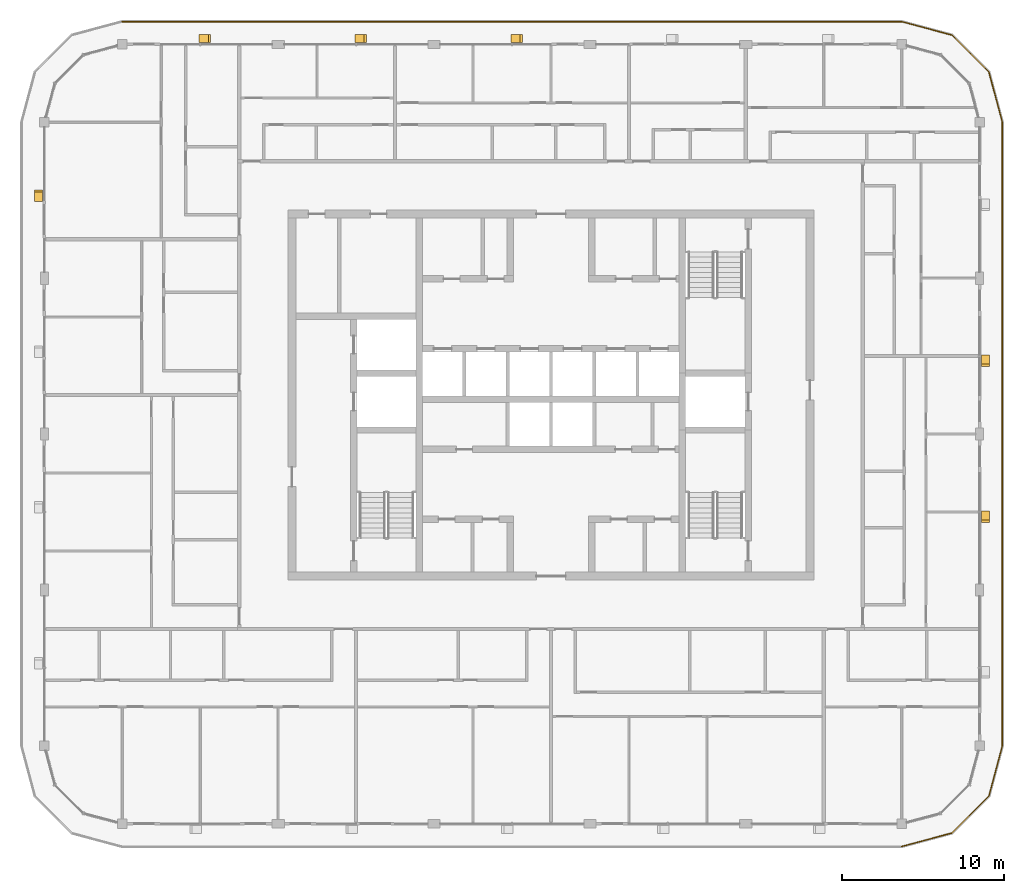
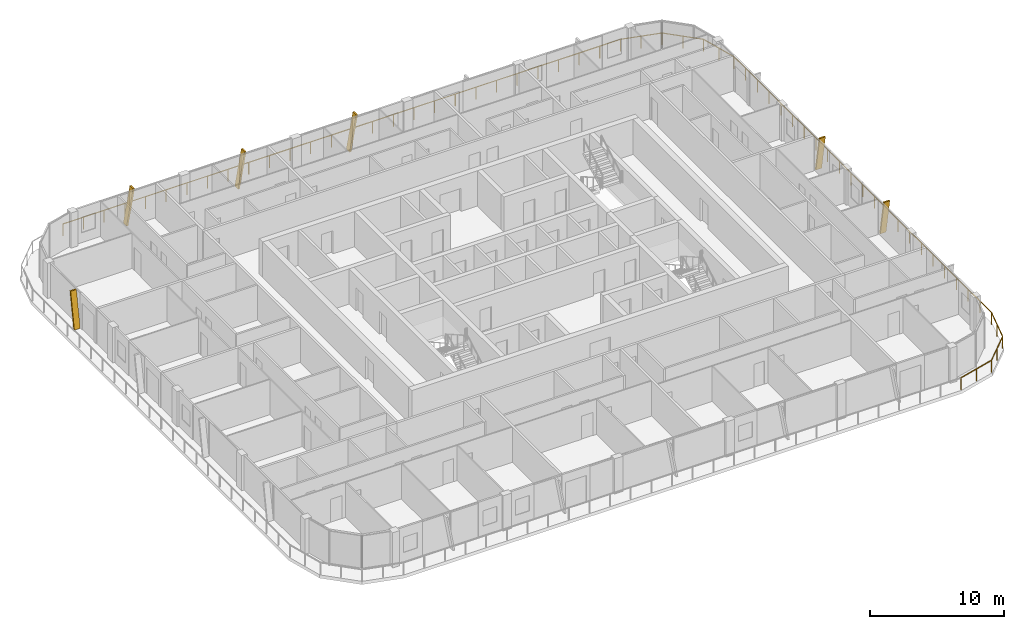
# One storey, part 20 of 21: 6 shading devices, 1 railing.
"""IFC4 building model written with IfcOpenShell, lengths in metres."""

from ifc_helpers import new_model, si_unit, direction, frame, origin, origin_2d, place, context, subcontext, project, spatial, polyline, circle, outline, extrude, material, type_object, element, save


model = new_model("IFC4")

# Units and contexts
model_context = context("Model", 3, precision=1e-05, world=origin(), true_north=direction((0.0, 1.0)))
body_context = subcontext(model_context, "Body", "Model", "MODEL_VIEW")
ifc_project = project(units=[si_unit("LENGTHUNIT", "METRE"), si_unit("AREAUNIT", "SQUARE_METRE"), si_unit("VOLUMEUNIT", "CUBIC_METRE"), si_unit("PLANEANGLEUNIT", "RADIAN"), si_unit("MASSUNIT", "GRAM", prefix="KILO")], contexts=[model_context])

# Site, building, storey
site_placement = place(None, origin())
site = spatial("IfcSite", under=ifc_project, at=site_placement, CompositionType="ELEMENT")
building_placement = place(site_placement, origin())
building = spatial("IfcBuilding", under=site, at=building_placement, Name="Madar Terraces", CompositionType="ELEMENT")
storey_placement = place(building_placement, frame((0.0, 0.0, 272.10009765625)))
storey = spatial("IfcBuildingStorey", under=building, at=storey_placement, Name="L71", CompositionType="ELEMENT", Elevation=272.10009765625)

# Railing
ifc_material_1 = material(Name="Glass, safety glazing, with stainless steel posts", Category="steel")
railing_type = type_object("IfcRailingType", Name="Balcony glass guard 1100", PredefinedType="GUARDRAIL", material=ifc_material_1)
railing_placement = place(storey_placement, frame((52.800048828125, -1.39990234375, 0.0)))
element("IfcRailing", 1, at=railing_placement, inside=storey, type_object=railing_type, Name="Balcony guard", PredefinedType="GUARDRAIL", context=body_context, shape_type="SweptSolid", body=[
    extrude(circle(Radius=0.02392578125, at=origin_2d()), frame((0.0, 0.0, 1.076171875), z_axis=(0.965928696102, 0.258808334578, 0.0), x_axis=(-0.258808334578, 0.965928696102, 0.0)), (0.0, 0.0, 1.0), 3.209228515625),
    extrude(circle(Radius=0.02392578125, at=origin_2d()), frame((3.099853515625, 0.83056640625, 1.076171875), z_axis=(0.707144815061, 0.707068745266, 0.0), x_axis=(-0.707068745266, 0.707144815061, 0.0)), (0.0, 0.0, 1.0), 3.20947265625),
    extrude(circle(Radius=0.02392578125, at=origin_2d()), frame((5.369384765625, 3.099853515625, 1.076171875), z_axis=(0.258789317819, 0.9659337912, 0.0), x_axis=(-0.9659337912, 0.258789317819, 0.0)), (0.0, 0.0, 1.0), 3.20947265625),
    extrude(circle(Radius=0.02392578125, at=origin_2d()), frame((6.199951171875, 6.199951171875, 1.076171875), z_axis=(0.0, 1.0, 0.0), x_axis=(-1.0, 0.0, 0.0)), (0.0, 0.0, 1.0), 38.39990234375),
    extrude(circle(Radius=0.02392578125, at=origin_2d()), frame((6.199951171875, 44.599853515625, 1.076171875), z_axis=(-0.258789317819, 0.9659337912, 0.0), x_axis=(-0.9659337912, -0.258789317819, 0.0)), (0.0, 0.0, 1.0), 3.20947265625),
    extrude(circle(Radius=0.02392578125, at=origin_2d()), frame((5.369384765625, 47.699951171875, 1.076171875), z_axis=(-0.707144815061, 0.707068745266, 0.0), x_axis=(-0.707068745266, -0.707144815061, 0.0)), (0.0, 0.0, 1.0), 3.20947265625),
    extrude(circle(Radius=0.02392578125, at=origin_2d()), frame((3.099853515625, 49.96923828125, 1.076171875), z_axis=(-0.965928696102, 0.258808334578, 0.0), x_axis=(-0.258808334578, -0.965928696102, 0.0)), (0.0, 0.0, 1.0), 3.209228515625),
    extrude(circle(Radius=0.02392578125, at=origin_2d()), frame((0.0, 50.7998046875, 1.076171875), z_axis=(-1.0, 0.0, 0.0), x_axis=(0.0, -1.0, 0.0)), (0.0, 0.0, 1.0), 48.0),
    extrude(circle(Radius=0.02099609375, at=origin_2d()), origin(), (0.0, 0.0, 1.0), 1.052001953125),
    extrude(circle(Radius=0.02099609375, at=origin_2d()), frame((1.5498046875, 0.415283203125, 0.0)), (0.0, 0.0, 1.0), 1.052001953125),
    extrude(circle(Radius=0.02099609375, at=origin_2d()), frame((3.099853515625, 0.83056640625, 0.0)), (0.0, 0.0, 1.0), 1.052001953125),
    extrude(circle(Radius=0.02099609375, at=origin_2d()), frame((4.234619140625, 1.96533203125, 0.0)), (0.0, 0.0, 1.0), 1.052001953125),
    extrude(circle(Radius=0.02099609375, at=origin_2d()), frame((5.369384765625, 3.099853515625, 0.0)), (0.0, 0.0, 1.0), 1.052001953125),
    extrude(circle(Radius=0.02099609375, at=origin_2d()), frame((5.78466796875, 4.64990234375, 0.0)), (0.0, 0.0, 1.0), 1.052001953125),
    extrude(circle(Radius=0.02099609375, at=origin_2d()), frame((6.199951171875, 6.199951171875, 0.0)), (0.0, 0.0, 1.0), 1.052001953125),
    extrude(circle(Radius=0.02099609375, at=origin_2d()), frame((6.199951171875, 7.9453125, 0.0)), (0.0, 0.0, 1.0), 1.052001953125),
    extrude(circle(Radius=0.02099609375, at=origin_2d()), frame((6.199951171875, 9.69091796875, 0.0)), (0.0, 0.0, 1.0), 1.052001953125),
    extrude(circle(Radius=0.02099609375, at=origin_2d()), frame((6.199951171875, 11.436279296875, 0.0)), (0.0, 0.0, 1.0), 1.052001953125),
    extrude(circle(Radius=0.02099609375, at=origin_2d()), frame((6.199951171875, 13.181640625, 0.0)), (0.0, 0.0, 1.0), 1.052001953125),
    extrude(circle(Radius=0.02099609375, at=origin_2d()), frame((6.199951171875, 14.92724609375, 0.0)), (0.0, 0.0, 1.0), 1.052001953125),
    extrude(circle(Radius=0.02099609375, at=origin_2d()), frame((6.199951171875, 16.672607421875, 0.0)), (0.0, 0.0, 1.0), 1.052001953125),
    extrude(circle(Radius=0.02099609375, at=origin_2d()), frame((6.199951171875, 18.418212890625, 0.0)), (0.0, 0.0, 1.0), 1.052001953125),
    extrude(circle(Radius=0.02099609375, at=origin_2d()), frame((6.199951171875, 20.16357421875, 0.0)), (0.0, 0.0, 1.0), 1.052001953125),
    extrude(circle(Radius=0.02099609375, at=origin_2d()), frame((6.199951171875, 21.908935546875, 0.0)), (0.0, 0.0, 1.0), 1.052001953125),
    extrude(circle(Radius=0.02099609375, at=origin_2d()), frame((6.199951171875, 23.654541015625, 0.0)), (0.0, 0.0, 1.0), 1.052001953125),
    extrude(circle(Radius=0.02099609375, at=origin_2d()), frame((6.199951171875, 25.39990234375, 0.0)), (0.0, 0.0, 1.0), 1.052001953125),
    extrude(circle(Radius=0.02099609375, at=origin_2d()), frame((6.199951171875, 27.145263671875, 0.0)), (0.0, 0.0, 1.0), 1.052001953125),
    extrude(circle(Radius=0.02099609375, at=origin_2d()), frame((6.199951171875, 28.890869140625, 0.0)), (0.0, 0.0, 1.0), 1.052001953125),
    extrude(circle(Radius=0.02099609375, at=origin_2d()), frame((6.199951171875, 30.63623046875, 0.0)), (0.0, 0.0, 1.0), 1.052001953125),
    extrude(circle(Radius=0.02099609375, at=origin_2d()), frame((6.199951171875, 32.381591796875, 0.0)), (0.0, 0.0, 1.0), 1.052001953125),
    extrude(circle(Radius=0.02099609375, at=origin_2d()), frame((6.199951171875, 34.127197265625, 0.0)), (0.0, 0.0, 1.0), 1.052001953125),
    extrude(circle(Radius=0.02099609375, at=origin_2d()), frame((6.199951171875, 35.87255859375, 0.0)), (0.0, 0.0, 1.0), 1.052001953125),
    extrude(circle(Radius=0.02099609375, at=origin_2d()), frame((6.199951171875, 37.6181640625, 0.0)), (0.0, 0.0, 1.0), 1.052001953125),
    extrude(circle(Radius=0.02099609375, at=origin_2d()), frame((6.199951171875, 39.363525390625, 0.0)), (0.0, 0.0, 1.0), 1.052001953125),
    extrude(circle(Radius=0.02099609375, at=origin_2d()), frame((6.199951171875, 41.10888671875, 0.0)), (0.0, 0.0, 1.0), 1.052001953125),
    extrude(circle(Radius=0.02099609375, at=origin_2d()), frame((6.199951171875, 42.8544921875, 0.0)), (0.0, 0.0, 1.0), 1.052001953125),
    extrude(circle(Radius=0.02099609375, at=origin_2d()), frame((6.199951171875, 44.599853515625, 0.0)), (0.0, 0.0, 1.0), 1.052001953125),
    extrude(circle(Radius=0.02099609375, at=origin_2d()), frame((5.78466796875, 46.14990234375, 0.0)), (0.0, 0.0, 1.0), 1.052001953125),
    extrude(circle(Radius=0.02099609375, at=origin_2d()), frame((5.369384765625, 47.699951171875, 0.0)), (0.0, 0.0, 1.0), 1.052001953125),
    extrude(circle(Radius=0.02099609375, at=origin_2d()), frame((4.234619140625, 48.83447265625, 0.0)), (0.0, 0.0, 1.0), 1.052001953125),
    extrude(circle(Radius=0.02099609375, at=origin_2d()), frame((3.099853515625, 49.96923828125, 0.0)), (0.0, 0.0, 1.0), 1.052001953125),
    extrude(circle(Radius=0.02099609375, at=origin_2d()), frame((1.5498046875, 50.384521484375, 0.0)), (0.0, 0.0, 1.0), 1.052001953125),
    extrude(circle(Radius=0.02099609375, at=origin_2d()), frame((0.0, 50.7998046875, 0.0)), (0.0, 0.0, 1.0), 1.052001953125),
    extrude(circle(Radius=0.02099609375, at=origin_2d()), frame((-1.77783203125, 50.7998046875, 0.0)), (0.0, 0.0, 1.0), 1.052001953125),
    extrude(circle(Radius=0.02099609375, at=origin_2d()), frame((-3.5556640625, 50.7998046875, 0.0)), (0.0, 0.0, 1.0), 1.052001953125),
    extrude(circle(Radius=0.02099609375, at=origin_2d()), frame((-5.333251953125, 50.7998046875, 0.0)), (0.0, 0.0, 1.0), 1.052001953125),
    extrude(circle(Radius=0.02099609375, at=origin_2d()), frame((-7.111083984375, 50.7998046875, 0.0)), (0.0, 0.0, 1.0), 1.052001953125),
    extrude(circle(Radius=0.02099609375, at=origin_2d()), frame((-8.888916015625, 50.7998046875, 0.0)), (0.0, 0.0, 1.0), 1.052001953125),
    extrude(circle(Radius=0.02099609375, at=origin_2d()), frame((-10.666748046875, 50.7998046875, 0.0)), (0.0, 0.0, 1.0), 1.052001953125),
    extrude(circle(Radius=0.02099609375, at=origin_2d()), frame((-12.4443359375, 50.7998046875, 0.0)), (0.0, 0.0, 1.0), 1.052001953125),
    extrude(circle(Radius=0.02099609375, at=origin_2d()), frame((-14.22216796875, 50.7998046875, 0.0)), (0.0, 0.0, 1.0), 1.052001953125),
    extrude(circle(Radius=0.02099609375, at=origin_2d()), frame((-16.0, 50.7998046875, 0.0)), (0.0, 0.0, 1.0), 1.052001953125),
    extrude(circle(Radius=0.02099609375, at=origin_2d()), frame((-17.77783203125, 50.7998046875, 0.0)), (0.0, 0.0, 1.0), 1.052001953125),
    extrude(circle(Radius=0.02099609375, at=origin_2d()), frame((-19.5556640625, 50.7998046875, 0.0)), (0.0, 0.0, 1.0), 1.052001953125),
    extrude(circle(Radius=0.02099609375, at=origin_2d()), frame((-21.333251953125, 50.7998046875, 0.0)), (0.0, 0.0, 1.0), 1.052001953125),
    extrude(circle(Radius=0.02099609375, at=origin_2d()), frame((-23.111083984375, 50.7998046875, 0.0)), (0.0, 0.0, 1.0), 1.052001953125),
    extrude(circle(Radius=0.02099609375, at=origin_2d()), frame((-24.888916015625, 50.7998046875, 0.0)), (0.0, 0.0, 1.0), 1.052001953125),
    extrude(circle(Radius=0.02099609375, at=origin_2d()), frame((-26.666748046875, 50.7998046875, 0.0)), (0.0, 0.0, 1.0), 1.052001953125),
    extrude(circle(Radius=0.02099609375, at=origin_2d()), frame((-28.4443359375, 50.7998046875, 0.0)), (0.0, 0.0, 1.0), 1.052001953125),
    extrude(circle(Radius=0.02099609375, at=origin_2d()), frame((-30.22216796875, 50.7998046875, 0.0)), (0.0, 0.0, 1.0), 1.052001953125),
    extrude(circle(Radius=0.02099609375, at=origin_2d()), frame((-32.0, 50.7998046875, 0.0)), (0.0, 0.0, 1.0), 1.052001953125),
    extrude(circle(Radius=0.02099609375, at=origin_2d()), frame((-33.77783203125, 50.7998046875, 0.0)), (0.0, 0.0, 1.0), 1.052001953125),
    extrude(circle(Radius=0.02099609375, at=origin_2d()), frame((-35.5556640625, 50.7998046875, 0.0)), (0.0, 0.0, 1.0), 1.052001953125),
    extrude(circle(Radius=0.02099609375, at=origin_2d()), frame((-37.333251953125, 50.7998046875, 0.0)), (0.0, 0.0, 1.0), 1.052001953125),
    extrude(circle(Radius=0.02099609375, at=origin_2d()), frame((-39.111083984375, 50.7998046875, 0.0)), (0.0, 0.0, 1.0), 1.052001953125),
    extrude(circle(Radius=0.02099609375, at=origin_2d()), frame((-40.888916015625, 50.7998046875, 0.0)), (0.0, 0.0, 1.0), 1.052001953125),
    extrude(circle(Radius=0.02099609375, at=origin_2d()), frame((-42.666748046875, 50.7998046875, 0.0)), (0.0, 0.0, 1.0), 1.052001953125),
    extrude(circle(Radius=0.02099609375, at=origin_2d()), frame((-44.4443359375, 50.7998046875, 0.0)), (0.0, 0.0, 1.0), 1.052001953125),
    extrude(circle(Radius=0.02099609375, at=origin_2d()), frame((-46.22216796875, 50.7998046875, 0.0)), (0.0, 0.0, 1.0), 1.052001953125),
    extrude(circle(Radius=0.02099609375, at=origin_2d()), frame((-48.0, 50.7998046875, 0.0)), (0.0, 0.0, 1.0), 1.052001953125),
])

# Shading devices
ifc_material_2 = material(Name="Aluminium, black anodised", Category="aluminium")
shading_device_type = type_object("IfcShadingDeviceType", Name="Facade fin blade 140 x 500", PredefinedType="USERDEFINED", material=ifc_material_2)
for number, where, z_axis, x_axis, name in (
    (2, (57.949951171875, 19.1298828125, 0.0), (0.0, 0.0, 1.0), (0.0, 1.0, 0.0), "FIN L71 E2"),
    (3, (57.949951171875, 28.72998046875, 0.0), (0.0, 0.0, 1.0), (0.0, 1.0, 0.0), "FIN L71 E3"),
    (4, (28.8701171875, 48.35009765625, 0.0), (0.0, 0.0, 1.0), (-1.0, 0.0, 0.0), "FIN L71 N3"),
    (5, (19.27001953125, 48.35009765625, 0.0), (0.0, 0.0, 1.0), (-1.0, 0.0, 0.0), "FIN L71 N4"),
):
    element("IfcShadingDevice", number, at=place(storey_placement, frame(where, z_axis=z_axis, x_axis=x_axis)), inside=storey, type_object=shading_device_type, Name=name, ObjectType="FIN", PredefinedType="USERDEFINED", context=body_context, shape_type="SweptSolid", body=[
        extrude(outline(polyline([(0.0, 0.0), (0.14013671875, 0.0), (-0.42431640625, 3.199951171875), (-0.564208984375, 3.199951171875), (0.0, 0.0)])), frame((0.0, 0.25, 0.0), z_axis=(0.0, -1.0, 0.0), x_axis=(1.0, 0.0, 0.0)), (0.0, 0.0, 1.0), 0.5),
    ])
for number, where, z_axis, x_axis, name in (
    (6, (9.669921875, 48.35009765625, 0.0), (0.0, 0.0, 1.0), (-1.0, 0.0, 0.0), "FIN L71 N5"),
    (7, (-0.35009765625, 38.469970703125, 0.0), (0.0, 0.0, 1.0), (0.0, -1.0, 0.0), "FIN L71 W1"),
):
    element("IfcShadingDevice", number, at=place(storey_placement, frame(where, z_axis=z_axis, x_axis=x_axis)), inside=storey, type_object=shading_device_type, Name=name, ObjectType="FIN", PredefinedType="USERDEFINED", context=body_context, shape_type="SweptSolid", body=[
        extrude(outline(polyline([(0.0, 0.0), (0.139892578125, 0.0), (-0.42431640625, 3.199951171875), (-0.564208984375, 3.199951171875), (0.0, 0.0)])), frame((0.0, 0.25, 0.0), z_axis=(0.0, -1.0, 0.0), x_axis=(1.0, 0.0, 0.0)), (0.0, 0.0, 1.0), 0.5),
    ])

save(model, "model.ifc")
